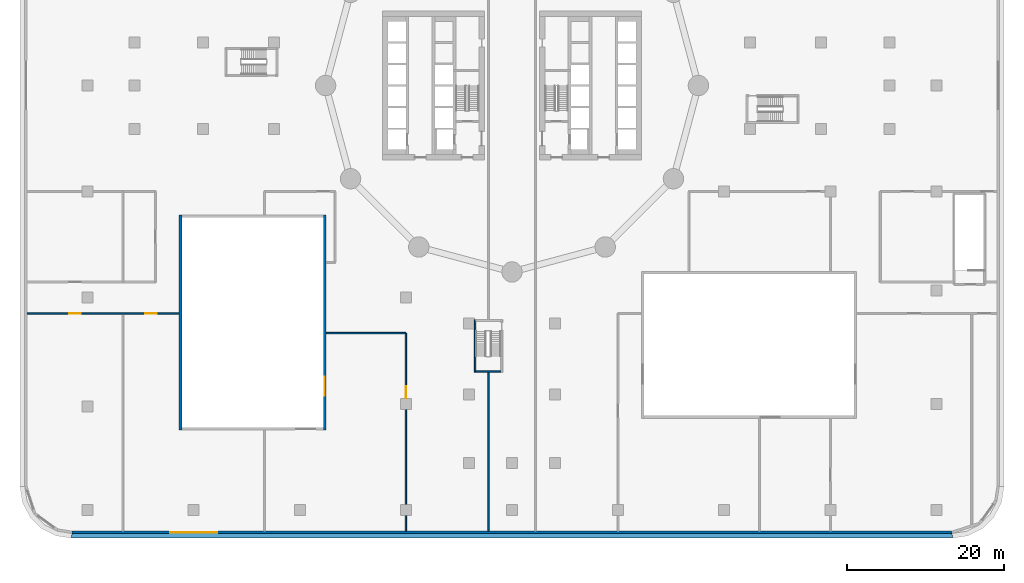
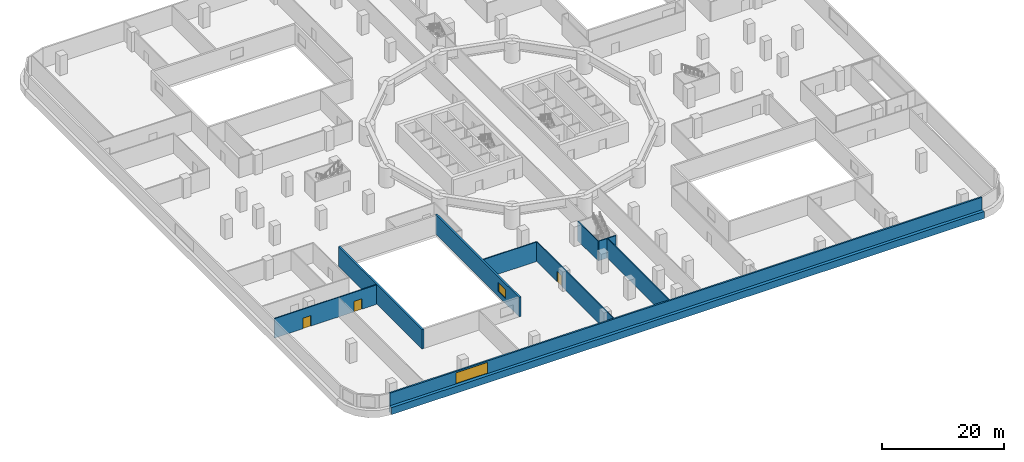
# One storey, part 2 of 16: 9 walls, 3 doors, 2 windows, 1 member, 5 openings.
"""IFC4 building model written with IfcOpenShell, lengths in metres."""

from ifc_helpers import new_model, si_unit, direction, frame, frame_2d, origin, place, context, subcontext, project, spatial, polyline, rectangle, outline, extrude, material, layer, layer_set, type_object, element, fill, aggregate, save


model = new_model("IFC4")

# Units and contexts
model_context = context("Model", 3, precision=1e-05, world=origin(), true_north=direction((0.0, 1.0)))
body_context = subcontext(model_context, "Body", "Model", "MODEL_VIEW")
ifc_project = project(units=[si_unit("LENGTHUNIT", "METRE"), si_unit("AREAUNIT", "SQUARE_METRE"), si_unit("VOLUMEUNIT", "CUBIC_METRE"), si_unit("PLANEANGLEUNIT", "RADIAN"), si_unit("MASSUNIT", "GRAM", prefix="KILO")], contexts=[model_context])

# Member
ifc_material_1 = material(Name="Aluminium and insulated spandrel panel", Category="aluminium")
member_type = type_object("IfcMemberType", Name="Floor-edge blade transom", PredefinedType="USERDEFINED", material=ifc_material_1)
site_placement = place(None, origin())
building_placement = place(site_placement, origin())
storey_placement = place(building_placement, frame((0.0, 0.0, 25.0)))
member_placement = place(storey_placement, origin())
member = element("IfcMember", 1, at=member_placement, type_object=member_type, Name="CWT-L04-06", ObjectType="TRANSOM", PredefinedType="USERDEFINED", context=body_context, shape_type="SweptSolid", body=[
    extrude(outline(polyline([(-56.0, -57.0), (56.0, -57.0), (56.047119140625, -57.60009765625), (-56.047119140625, -57.60009765625), (-56.0, -57.0)])), origin(), (0.0, 0.0, 1.0), 1.39990234375),
])

# Site, building, storey
site = spatial("IfcSite", under=ifc_project, at=site_placement, CompositionType="ELEMENT")
building = spatial("IfcBuilding", under=site, at=building_placement, Name="Tamarind Cross Interchange Tower", CompositionType="ELEMENT")
storey = spatial("IfcBuildingStorey", under=building, at=storey_placement, Name="L04", CompositionType="ELEMENT", Elevation=25.0)

# Wall, openings, doors
ifc_material_2 = material(Name="Masonry partition, fire-rated", Category="masonry")
ifc_layer_1 = layer(ifc_material_2, 0.199951171875)
ifc_layer_set_1 = layer_set([ifc_layer_1], Name="Masonry partition, fire-rated")
wall_type_1 = type_object("IfcWallType", Name="Fire partition 200 EI 120", PredefinedType="PARTITIONING", material=ifc_layer_set_1)
wall_1_placement = place(storey_placement, frame((-61.698974609375, -29.0, 0.0), z_axis=(0.0, 0.0, 1.0), x_axis=(1.0, 0.0, 0.0)))
wall_1 = element("IfcWall", 2, at=wall_1_placement, inside=storey, type_object=wall_type_1, Name="L04 partition 5", PredefinedType="PARTITIONING", context=body_context, shape_type="SweptSolid", body=[
    extrude(rectangle(XDim=19.319091796875, YDim=0.199951171875, at=frame_2d((9.65966796875, 0.0))), origin(), (0.0, 0.0, 1.0), 3.89990234375),
])
opening_1_placement = place(wall_1_placement, frame((15.02392578125, 0.0, 0.0)))
opening_1 = element("IfcOpeningElement", 3, at=opening_1_placement, cuts=wall_1, Name="Opening DL04-18", PredefinedType="OPENING", context=body_context, shape_type="SweptSolid", body=[
    extrude(rectangle(XDim=1.5, YDim=2.10009765625, at=frame_2d((0.75, 1.050048828125))), frame((0.0, 0.10986328125, 0.0), z_axis=(0.0, -1.0, 0.0), x_axis=(1.0, 0.0, 0.0)), (0.0, 0.0, 1.0), 0.219970703125),
])
opening_2_placement = place(wall_1_placement, frame((5.35888671875, 0.0, 0.0)))
opening_2 = element("IfcOpeningElement", 4, at=opening_2_placement, cuts=wall_1, Name="Opening DL04-19", PredefinedType="OPENING", context=body_context, shape_type="SweptSolid", body=[
    extrude(rectangle(XDim=1.5, YDim=2.10009765625, at=frame_2d((0.75, 1.050048828125))), frame((0.0, 0.10986328125, 0.0), z_axis=(0.0, -1.0, 0.0), x_axis=(1.0, 0.0, 0.0)), (0.0, 0.0, 1.0), 0.219970703125),
])
ifc_material_3 = material(Name="Steel, fire-resisting", Category="steel")
door_type = type_object("IfcDoorType", Name="Podium door 1500 x 2100 FD90", OperationType="SINGLE_SWING_LEFT", PredefinedType="DOOR", material=ifc_material_3)
door_1_placement = place(opening_1_placement, origin())
door_1 = element("IfcDoor", 5, at=door_1_placement, inside=storey, type_object=door_type, Name="L04 door Smoke Extract Plant Room 0418", OperationType="SINGLE_SWING_RIGHT", OverallHeight=2.10009765625, OverallWidth=1.5, PredefinedType="DOOR", context=body_context, shape_type="SweptSolid", body=[
    extrude(rectangle(XDim=1.5, YDim=2.10009765625, at=frame_2d((0.75, 1.050048828125))), frame((0.0, 0.02490234375, 0.0), z_axis=(0.0, -1.0, 0.0), x_axis=(1.0, 0.0, 0.0)), (0.0, 0.0, 1.0), 0.050048828125),
])
fill(opening_1, door_1)
door_2_placement = place(opening_2_placement, origin())
door_2 = element("IfcDoor", 6, at=door_2_placement, inside=storey, type_object=door_type, Name="L04 door Air Handling Plant Room 0419", OperationType="SINGLE_SWING_LEFT", OverallHeight=2.10009765625, OverallWidth=1.5, PredefinedType="DOOR", context=body_context, shape_type="SweptSolid", body=[
    extrude(rectangle(XDim=1.5, YDim=2.10009765625, at=frame_2d((0.75, 1.050048828125))), frame((0.0, 0.02490234375, 0.0), z_axis=(0.0, -1.0, 0.0), x_axis=(1.0, 0.0, 0.0)), (0.0, 0.0, 1.0), 0.050048828125),
])
fill(opening_2, door_2)

# Wall
wall_2_placement = place(storey_placement, frame((-23.6201171875, -31.5, 0.0), z_axis=(0.0, 0.0, 1.0), x_axis=(1.0, 0.0, 0.0)))
element("IfcWall", 7, at=wall_2_placement, inside=storey, type_object=wall_type_1, Name="L04 partition 27", PredefinedType="PARTITIONING", context=body_context, shape_type="SweptSolid", body=[
    extrude(rectangle(XDim=10.1201171875, YDim=0.199951171875, at=frame_2d((5.06005859375, 0.0))), origin(), (0.0, 0.0, 1.0), 3.89990234375),
])

# Wall, opening, door
wall_3_placement = place(storey_placement, frame((-13.5, -56.698974609375, 0.0), z_axis=(0.0, 0.0, 1.0), x_axis=(0.0, 1.0, 0.0)))
wall_3 = element("IfcWall", 8, at=wall_3_placement, inside=storey, type_object=wall_type_1, Name="L04 partition 28", PredefinedType="PARTITIONING", context=body_context, shape_type="SweptSolid", body=[
    extrude(rectangle(XDim=25.198974609375, YDim=0.199951171875, at=frame_2d((12.599609375, 0.0))), origin(), (0.0, 0.0, 1.0), 3.89990234375),
])
opening_3_placement = place(wall_3_placement, frame((16.924072265625, 0.0, 0.0)))
opening_3 = element("IfcOpeningElement", 9, at=opening_3_placement, cuts=wall_3, Name="Opening DL04-17", PredefinedType="OPENING", context=body_context, shape_type="SweptSolid", body=[
    extrude(rectangle(XDim=1.5, YDim=2.10009765625, at=frame_2d((0.75, 1.050048828125))), frame((0.0, 0.10986328125, 0.0), z_axis=(0.0, -1.0, 0.0), x_axis=(1.0, 0.0, 0.0)), (0.0, 0.0, 1.0), 0.219970703125),
])
door_3_placement = place(opening_3_placement, origin())
door_3 = element("IfcDoor", 10, at=door_3_placement, inside=storey, type_object=door_type, Name="L04 door Transformer Room 0417", OperationType="SINGLE_SWING_LEFT", OverallHeight=2.10009765625, OverallWidth=1.5, PredefinedType="DOOR", context=body_context, shape_type="SweptSolid", body=[
    extrude(rectangle(XDim=1.5, YDim=2.10009765625, at=frame_2d((0.75, 1.050048828125))), frame((0.0, 0.02490234375, 0.0), z_axis=(0.0, -1.0, 0.0), x_axis=(1.0, 0.0, 0.0)), (0.0, 0.0, 1.0), 0.050048828125),
])
fill(opening_3, door_3)

# Wall
wall_4_placement = place(storey_placement, frame((-3.0, -56.698974609375, 0.0), z_axis=(0.0, 0.0, 1.0), x_axis=(0.0, 1.0, 0.0)))
element("IfcWall", 11, at=wall_4_placement, inside=storey, type_object=wall_type_1, Name="L04 partition 31", PredefinedType="PARTITIONING", context=body_context, shape_type="SweptSolid", body=[
    extrude(rectangle(XDim=20.1689453125, YDim=0.199951171875, at=frame_2d((10.08447265625, 0.0))), origin(), (0.0, 0.0, 1.0), 3.89990234375),
])

# Wall, opening, window
ifc_material_4 = material(Name="Precast concrete C40", Category="concrete")
ifc_layer_2 = layer(ifc_material_4, 0.300048828125)
ifc_layer_set_2 = layer_set([ifc_layer_2], Name="Precast concrete C40")
wall_type_2 = type_object("IfcWallType", Name="Plant louvre wall", PredefinedType="SOLIDWALL", material=ifc_layer_set_2)
wall_5_placement = place(storey_placement, frame((-55.98828125, -56.85009765625, 0.0), z_axis=(0.0, 0.0, 1.0), x_axis=(1.0, 0.0, 0.0)))
wall_5 = element("IfcWall", 12, at=wall_5_placement, inside=storey, type_object=wall_type_2, Name="EXW-L04-06-00", PredefinedType="SOLIDWALL", context=body_context, shape_type="SweptSolid", body=[
    extrude(rectangle(XDim=111.9765625, YDim=0.300048828125, at=frame_2d((55.98828125, 0.0))), origin(), (0.0, 0.0, 1.0), 3.89990234375),
])
opening_4_placement = place(wall_5_placement, frame((12.48828125, 0.0, 1.39990234375)))
opening_4 = element("IfcOpeningElement", 13, at=opening_4_placement, cuts=wall_5, Name="Opening W2", PredefinedType="OPENING", context=body_context, shape_type="SweptSolid", body=[
    extrude(rectangle(XDim=6.0, YDim=2.199951171875, at=frame_2d((3.0, 1.10009765625))), frame((0.0, 0.159912109375, 0.0), z_axis=(0.0, -1.0, 0.0), x_axis=(1.0, 0.0, 0.0)), (0.0, 0.0, 1.0), 0.320068359375),
])
ifc_material_5 = material(Name="Aluminium louvre", Category="aluminium")
window_type_1 = type_object("IfcWindowType", Name="Plant louvre bank", PartitioningType="SINGLE_PANEL", PredefinedType="WINDOW", material=ifc_material_5)
window_1_placement = place(opening_4_placement, origin())
window_1 = element("IfcWindow", 14, at=window_1_placement, inside=storey, type_object=window_type_1, Name="WIN-L04-06-00", OverallHeight=2.199951171875, OverallWidth=6.0, PartitioningType="SINGLE_PANEL", PredefinedType="WINDOW", context=body_context, shape_type="SweptSolid", body=[
    extrude(rectangle(XDim=6.0, YDim=2.199951171875, at=frame_2d((3.0, 1.10009765625))), frame((0.0, 0.030029296875, 0.0), z_axis=(0.0, -1.0, 0.0), x_axis=(1.0, 0.0, 0.0)), (0.0, 0.0, 1.0), 0.06005859375),
])
fill(opening_4, window_1)

aggregate(wall_5, [member])

# Wall
ifc_layer_3 = layer(ifc_material_4, 0.35009765625)
ifc_layer_set_3 = layer_set([ifc_layer_3], Name="Precast concrete C40")
wall_type_3 = type_object("IfcWallType", Name="Podium facade wall", PredefinedType="SOLIDWALL", material=ifc_layer_set_3)
wall_6_placement = place(storey_placement, frame((-42.175048828125, -43.85009765625, 0.0), z_axis=(0.0, 0.0, 1.0), x_axis=(0.0, 1.0, 0.0)))
element("IfcWall", 15, at=wall_6_placement, inside=storey, type_object=wall_type_3, Name="CTW-L04-SWW00", PredefinedType="SOLIDWALL", context=body_context, shape_type="SweptSolid", body=[
    extrude(rectangle(XDim=27.400146484375, YDim=0.35009765625, at=frame_2d((13.7001953125, 0.0))), origin(), (0.0, 0.0, 1.0), 3.89990234375),
])

# Wall, opening, window
wall_7_placement = place(storey_placement, frame((-23.824951171875, -43.85009765625, 0.0), z_axis=(0.0, 0.0, 1.0), x_axis=(0.0, 1.0, 0.0)))
wall_7 = element("IfcWall", 16, at=wall_7_placement, inside=storey, type_object=wall_type_3, Name="CTW-L04-SWE00", PredefinedType="SOLIDWALL", context=body_context, shape_type="SweptSolid", body=[
    extrude(rectangle(XDim=27.400146484375, YDim=0.35009765625, at=frame_2d((13.7001953125, 0.0))), origin(), (0.0, 0.0, 1.0), 3.89990234375),
])
opening_5_placement = place(wall_7_placement, frame((4.39990234375, 0.0, 1.0)))
opening_5 = element("IfcOpeningElement", 17, at=opening_5_placement, cuts=wall_7, Name="Opening W4", PredefinedType="OPENING", context=body_context, shape_type="SweptSolid", body=[
    extrude(rectangle(XDim=2.39990234375, YDim=1.800048828125, at=frame_2d((1.199951171875, 0.89990234375))), frame((0.0, 0.18505859375, 0.0), z_axis=(0.0, -1.0, 0.0), x_axis=(1.0, 0.0, 0.0)), (0.0, 0.0, 1.0), 0.3701171875),
])
ifc_material_6 = material(Name="Aluminium and toughened glass", Category="aluminium")
window_type_2 = type_object("IfcWindowType", Name="Podium daylight window", PartitioningType="SINGLE_PANEL", PredefinedType="WINDOW", material=ifc_material_6)
window_2_placement = place(opening_5_placement, origin())
window_2 = element("IfcWindow", 18, at=window_2_placement, inside=storey, type_object=window_type_2, Name="CTX-L04-SWE-00-00", OverallHeight=1.800048828125, OverallWidth=2.39990234375, PartitioningType="SINGLE_PANEL", PredefinedType="WINDOW", context=body_context, shape_type="SweptSolid", body=[
    extrude(rectangle(XDim=2.39990234375, YDim=1.800048828125, at=frame_2d((1.199951171875, 0.89990234375))), frame((0.0, 0.030029296875, 0.0), z_axis=(0.0, -1.0, 0.0), x_axis=(1.0, 0.0, 0.0)), (0.0, 0.0, 1.0), 0.06005859375),
])
fill(opening_5, window_2)

# Walls
ifc_material_7 = material(Name="Concrete C40", Category="concrete")
ifc_layer_4 = layer(ifc_material_7, 0.199951171875)
ifc_layer_set_4 = layer_set([ifc_layer_4], Name="Concrete C40")
wall_type_4 = type_object("IfcWallType", Name="Stair shaft wall 200 mm Concrete C40", PredefinedType="SHEAR", material=ifc_layer_set_4)
wall_8_placement = place(storey_placement, frame((-4.699951171875, -29.800048828125, 0.0), z_axis=(0.0, 0.0, 1.0), x_axis=(0.0, -1.0, 0.0)))
element("IfcWall", 19, at=wall_8_placement, inside=storey, type_object=wall_type_4, Name="Core wall CWL-L04-ST6-C", PredefinedType="SHEAR", context=body_context, shape_type="SweptSolid", body=[
    extrude(rectangle(XDim=6.699951171875, YDim=0.199951171875, at=frame_2d((3.35009765625, 0.0))), origin(), (0.0, 0.0, 1.0), 3.89990234375),
])
wall_9_placement = place(storey_placement, origin())
element("IfcWall", 20, at=wall_9_placement, inside=storey, type_object=wall_type_4, Name="Core wall CWL-L04-ST6-CF", PredefinedType="SHEAR", context=body_context, shape_type="SweptSolid", body=[
    extrude(outline(polyline([(-4.60009765625, -36.300048828125), (-4.60009765625, -36.5), (-1.39990234375, -36.5), (-1.39990234375, -36.300048828125), (-4.60009765625, -36.300048828125)])), origin(), (0.0, 0.0, 1.0), 3.89990234375),
])

save(model, "model.ifc")
